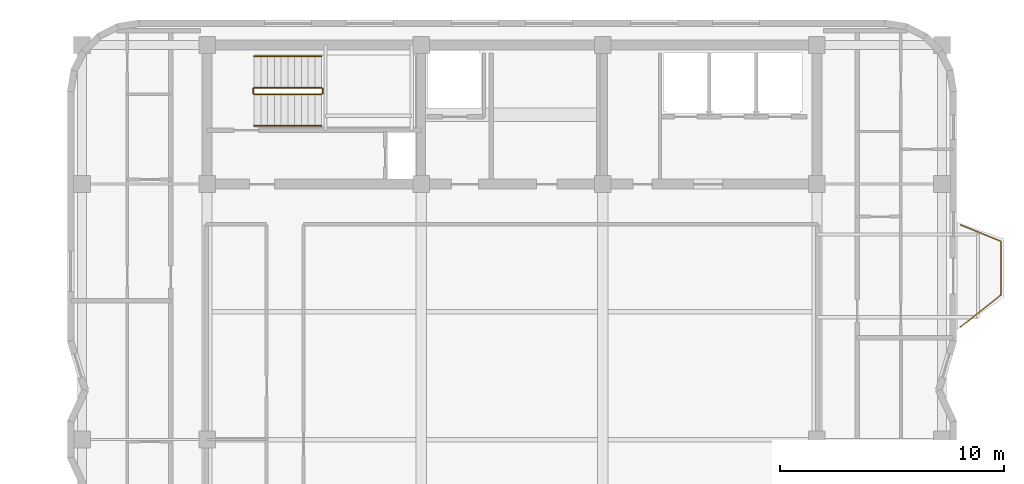
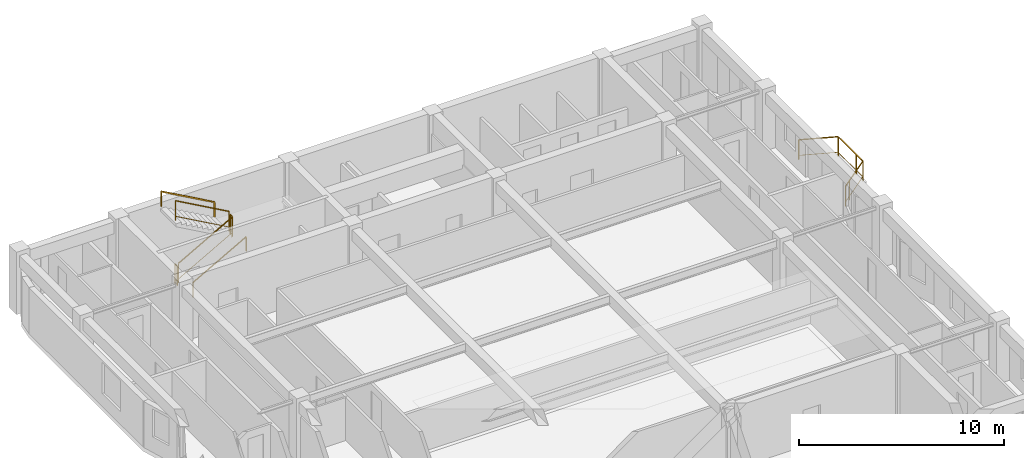
# One storey, part 8 of 8: 7 railings.
"""IFC4 building model written with IfcOpenShell, lengths in metres."""

from ifc_helpers import new_model, si_unit, direction, frame, origin, origin_2d, place, context, subcontext, project, spatial, rectangle, extrude, material, type_object, element, save


model = new_model("IFC4")

# Units and contexts
model_context = context("Model", 3, precision=1e-05, world=origin(), true_north=direction((0.0, 1.0)))
body_context = subcontext(model_context, "Body", "Model", "MODEL_VIEW")
ifc_project = project(units=[si_unit("LENGTHUNIT", "METRE"), si_unit("AREAUNIT", "SQUARE_METRE"), si_unit("VOLUMEUNIT", "CUBIC_METRE"), si_unit("PLANEANGLEUNIT", "RADIAN"), si_unit("MASSUNIT", "GRAM", prefix="KILO")], contexts=[model_context])

# Site, building, storey
site_placement = place(None, origin())
site = spatial("IfcSite", under=ifc_project, at=site_placement, CompositionType="ELEMENT")
building_placement = place(site_placement, origin())
building = spatial("IfcBuilding", under=site, at=building_placement, Name="Svetorya Sky Lyceum", CompositionType="ELEMENT")
storey_placement = place(building_placement, frame((0.0, 0.0, 282.39990234375)))
storey = spatial("IfcBuildingStorey", under=building, at=storey_placement, Name="L71", CompositionType="ELEMENT", Elevation=282.39990234375)

# Railings
ifc_material_1 = material(Name="Laminated safety glass and stainless AISI 316", Category="glass")
railing_type_1 = type_object("IfcRailingType", Name="RL-BAL-1200", PredefinedType="BALUSTRADE", material=ifc_material_1)
railing_1_placement = place(storey_placement, frame((59.2099609375, 37.780029296875, 0.0)))
element("IfcRailing", 1, at=railing_1_placement, inside=storey, type_object=railing_type_1, Name="L71 Balcony Balustrade BAL-E1", PredefinedType="BALUSTRADE", context=body_context, shape_type="SweptSolid", body=[
    extrude(rectangle(XDim=0.048095703125, YDim=0.048095703125, at=origin_2d()), frame((0.0, 0.0, 1.17578125), z_axis=(0.926697865975, -0.375807218129, 0.0), x_axis=(0.375807218129, 0.926697865975, 0.0)), (0.0, 0.0, 1.0), 1.9423828125),
    extrude(rectangle(XDim=0.02392578125, YDim=0.02392578125, at=origin_2d()), frame((0.0, 0.0, 0.25), z_axis=(0.926697865975, -0.375807218129, 0.0), x_axis=(0.375807218129, 0.926697865975, 0.0)), (0.0, 0.0, 1.0), 1.9423828125),
    extrude(rectangle(XDim=0.048095703125, YDim=0.048095703125, at=origin_2d()), frame((1.800048828125, -0.72998046875, 1.17578125), z_axis=(0.0, -1.0, 0.0), x_axis=(1.0, 0.0, 0.0)), (0.0, 0.0, 1.0), 2.400146484375),
    extrude(rectangle(XDim=0.02392578125, YDim=0.02392578125, at=origin_2d()), frame((1.800048828125, -0.72998046875, 0.25), z_axis=(0.0, -1.0, 0.0), x_axis=(1.0, 0.0, 0.0)), (0.0, 0.0, 1.0), 2.400146484375),
    extrude(rectangle(XDim=0.048095703125, YDim=0.048095703125, at=origin_2d()), frame((1.800048828125, -3.130126953125, 1.17578125), z_axis=(-0.783008919264, -0.622010476079, 0.0), x_axis=(0.622010476079, -0.783008919264, 0.0)), (0.0, 0.0, 1.0), 2.298828125),
    extrude(rectangle(XDim=0.02392578125, YDim=0.02392578125, at=origin_2d()), frame((1.800048828125, -3.130126953125, 0.25), z_axis=(-0.783008919264, -0.622010476079, 0.0), x_axis=(0.622010476079, -0.783008919264, 0.0)), (0.0, 0.0, 1.0), 2.298828125),
    extrude(rectangle(XDim=0.0419921875, YDim=0.0419921875, at=origin_2d()), origin(), (0.0, 0.0, 1.0), 1.15185546875),
    extrude(rectangle(XDim=0.0419921875, YDim=0.0419921875, at=origin_2d()), frame((1.800048828125, -0.72998046875, 0.0)), (0.0, 0.0, 1.0), 1.15185546875),
    extrude(rectangle(XDim=0.0419921875, YDim=0.0419921875, at=origin_2d()), frame((1.800048828125, -2.47998046875, 0.0)), (0.0, 0.0, 1.0), 1.15185546875),
    extrude(rectangle(XDim=0.0419921875, YDim=0.0419921875, at=origin_2d()), frame((1.800048828125, -3.130126953125, 0.0)), (0.0, 0.0, 1.0), 1.15185546875),
    extrude(rectangle(XDim=0.0419921875, YDim=0.0419921875, at=origin_2d()), frame((0.4296875, -4.21875, 0.0)), (0.0, 0.0, 1.0), 1.15185546875),
    extrude(rectangle(XDim=0.0419921875, YDim=0.0419921875, at=origin_2d()), frame((0.0, -4.56005859375, 0.0)), (0.0, 0.0, 1.0), 1.15185546875),
])
ifc_material_2 = material(Name="Painted galvanized stair well guard")
railing_type_2 = type_object("IfcRailingType", Name="RL-STR-GUARD-1200", PredefinedType="GUARDRAIL", material=ifc_material_2)
railing_2_placement = place(storey_placement, frame((27.699951171875, 43.60009765625, 0.168212890625)))
element("IfcRailing", 2, at=railing_2_placement, inside=storey, type_object=railing_type_2, Name="L71 ST-N stair guard 1", PredefinedType="GUARDRAIL", context=body_context, shape_type="SweptSolid", body=[
    extrude(rectangle(XDim=0.048095703125, YDim=0.048095703125, at=origin_2d()), frame((0.0, 0.0, 1.17578125), z_axis=(0.872272294576, 0.0, 0.489020494575), x_axis=(0.0, 1.0, 0.0)), (0.0, 0.0, 1.0), 3.439208984375),
    extrude(rectangle(XDim=0.02392578125, YDim=0.02392578125, at=origin_2d()), frame((0.0, 0.0, 0.25), z_axis=(0.872272294576, 0.0, 0.489020494575), x_axis=(0.0, 1.0, 0.0)), (0.0, 0.0, 1.0), 3.439208984375),
    extrude(rectangle(XDim=0.0419921875, YDim=0.0419921875, at=origin_2d()), origin(), (0.0, 0.0, 1.0), 1.15185546875),
    extrude(rectangle(XDim=0.0419921875, YDim=0.0419921875, at=origin_2d()), frame((3.0, 0.0, 1.681884765625)), (0.0, 0.0, 1.0), 1.15185546875),
])
railing_3_placement = place(storey_placement, frame((30.75, 43.64990234375, 1.85009765625)))
element("IfcRailing", 3, at=railing_3_placement, inside=storey, type_object=railing_type_2, Name="L71 ST-N stair guard 2", PredefinedType="GUARDRAIL", context=body_context, shape_type="SweptSolid", body=[
    extrude(rectangle(XDim=0.048095703125, YDim=0.048095703125, at=origin_2d()), frame((0.0, 0.0, 1.17578125), z_axis=(0.0, 1.0, 0.0), x_axis=(-1.0, 0.0, 0.0)), (0.0, 0.0, 1.0), 0.2001953125),
    extrude(rectangle(XDim=0.02392578125, YDim=0.02392578125, at=origin_2d()), frame((0.0, 0.0, 0.25), z_axis=(0.0, 1.0, 0.0), x_axis=(-1.0, 0.0, 0.0)), (0.0, 0.0, 1.0), 0.2001953125),
    extrude(rectangle(XDim=0.0419921875, YDim=0.0419921875, at=origin_2d()), origin(), (0.0, 0.0, 1.0), 1.15185546875),
    extrude(rectangle(XDim=0.0419921875, YDim=0.0419921875, at=origin_2d()), frame((0.0, 0.2001953125, 0.0)), (0.0, 0.0, 1.0), 1.15185546875),
])
railing_4_placement = place(storey_placement, frame((30.699951171875, 43.89990234375, 2.018310546875)))
element("IfcRailing", 4, at=railing_4_placement, inside=storey, type_object=railing_type_2, Name="L71 ST-N stair guard 3", PredefinedType="GUARDRAIL", context=body_context, shape_type="SweptSolid", body=[
    extrude(rectangle(XDim=0.048095703125, YDim=0.048095703125, at=origin_2d()), frame((0.0, 0.0, 1.17578125), z_axis=(-0.872272294576, 0.0, 0.489020494575), x_axis=(0.0, -1.0, 0.0)), (0.0, 0.0, 1.0), 3.439208984375),
    extrude(rectangle(XDim=0.02392578125, YDim=0.02392578125, at=origin_2d()), frame((0.0, 0.0, 0.25), z_axis=(-0.872272294576, 0.0, 0.489020494575), x_axis=(0.0, -1.0, 0.0)), (0.0, 0.0, 1.0), 3.439208984375),
    extrude(rectangle(XDim=0.0419921875, YDim=0.0419921875, at=origin_2d()), origin(), (0.0, 0.0, 1.0), 1.15185546875),
    extrude(rectangle(XDim=0.0419921875, YDim=0.0419921875, at=origin_2d()), frame((-3.0, 0.0, 1.681884765625)), (0.0, 0.0, 1.0), 1.15185546875),
])
railing_5_placement = place(storey_placement, frame((27.64990234375, 43.64990234375, 0.0)))
element("IfcRailing", 5, at=railing_5_placement, inside=storey, type_object=railing_type_2, Name="L71 ST-N stair guard 4", PredefinedType="GUARDRAIL", context=body_context, shape_type="SweptSolid", body=[
    extrude(rectangle(XDim=0.048095703125, YDim=0.048095703125, at=origin_2d()), frame((0.0, 0.0, 1.17578125), z_axis=(0.0, 1.0, 0.0), x_axis=(-1.0, 0.0, 0.0)), (0.0, 0.0, 1.0), 0.2001953125),
    extrude(rectangle(XDim=0.02392578125, YDim=0.02392578125, at=origin_2d()), frame((0.0, 0.0, 0.25), z_axis=(0.0, 1.0, 0.0), x_axis=(-1.0, 0.0, 0.0)), (0.0, 0.0, 1.0), 0.2001953125),
    extrude(rectangle(XDim=0.0419921875, YDim=0.0419921875, at=origin_2d()), origin(), (0.0, 0.0, 1.0), 1.15185546875),
    extrude(rectangle(XDim=0.0419921875, YDim=0.0419921875, at=origin_2d()), frame((0.0, 0.2001953125, 0.0)), (0.0, 0.0, 1.0), 1.15185546875),
])
ifc_material_3 = material(Name="Brushed stainless AISI 304 stair handrail")
railing_type_3 = type_object("IfcRailingType", Name="RL-STR-HAND-920", PredefinedType="HANDRAIL", material=ifc_material_3)
railing_6_placement = place(storey_placement, frame((27.699951171875, 42.199951171875, 0.168212890625)))
element("IfcRailing", 6, at=railing_6_placement, inside=storey, type_object=railing_type_3, Name="L71 ST-N stair handrail 1", PredefinedType="HANDRAIL", context=body_context, shape_type="SweptSolid", body=[
    extrude(rectangle(XDim=0.048095703125, YDim=0.048095703125, at=origin_2d()), frame((0.0, 0.0, 0.8759765625), z_axis=(0.872272294576, 0.0, 0.489020494575), x_axis=(0.0, 1.0, 0.0)), (0.0, 0.0, 1.0), 3.439208984375),
    extrude(rectangle(XDim=0.0419921875, YDim=0.0419921875, at=origin_2d()), origin(), (0.0, 0.0, 1.0), 0.851806640625),
    extrude(rectangle(XDim=0.0419921875, YDim=0.0419921875, at=origin_2d()), frame((3.0, 0.0, 1.681884765625)), (0.0, 0.0, 1.0), 0.851806640625),
])
railing_7_placement = place(storey_placement, frame((30.699951171875, 45.300048828125, 2.018310546875)))
element("IfcRailing", 7, at=railing_7_placement, inside=storey, type_object=railing_type_3, Name="L71 ST-N stair handrail 2", PredefinedType="HANDRAIL", context=body_context, shape_type="SweptSolid", body=[
    extrude(rectangle(XDim=0.048095703125, YDim=0.048095703125, at=origin_2d()), frame((0.0, 0.0, 0.8759765625), z_axis=(-0.872272294576, 0.0, 0.489020494575), x_axis=(0.0, -1.0, 0.0)), (0.0, 0.0, 1.0), 3.439208984375),
    extrude(rectangle(XDim=0.0419921875, YDim=0.0419921875, at=origin_2d()), origin(), (0.0, 0.0, 1.0), 0.851806640625),
    extrude(rectangle(XDim=0.0419921875, YDim=0.0419921875, at=origin_2d()), frame((-3.0, 0.0, 1.681884765625)), (0.0, 0.0, 1.0), 0.851806640625),
])

save(model, "model.ifc")
